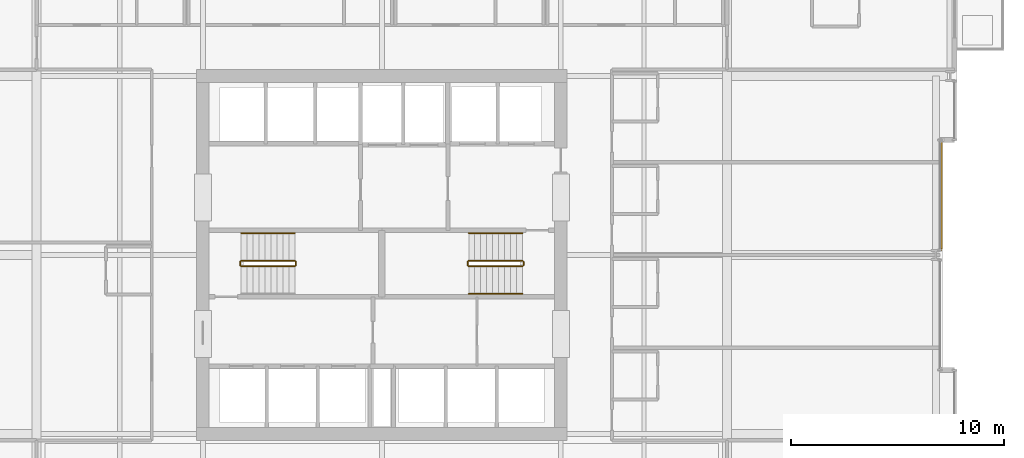
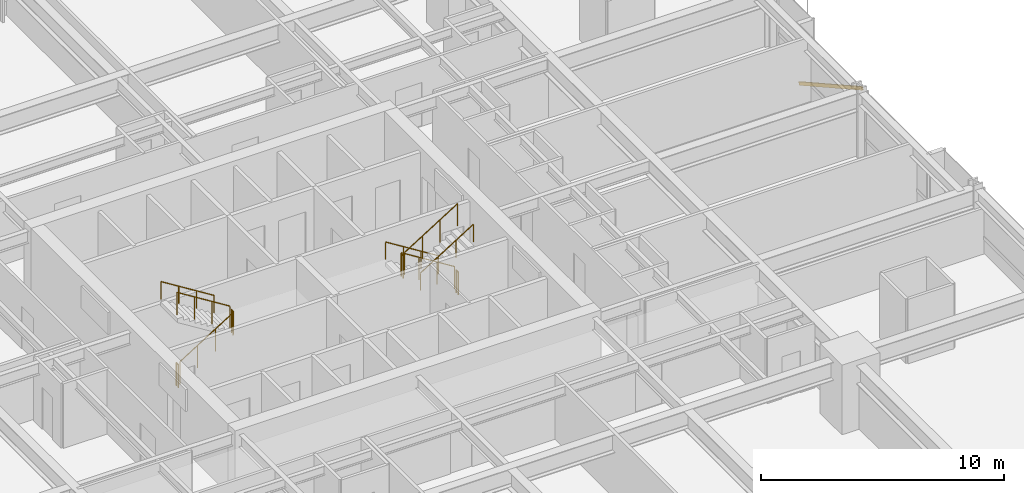
# One storey, part 36 of 37: 11 railings, 1 shading device.
"""IFC4 building model written with IfcOpenShell, lengths in metres."""

from ifc_helpers import new_model, si_unit, direction, frame, origin, origin_2d, place, context, subcontext, project, spatial, hollow_rectangle, circle, extrude, material, material_profile, profile_set, type_object, element, save


model = new_model("IFC4")

# Units and contexts
model_context = context("Model", 3, precision=1e-05, world=origin(), true_north=direction((0.0, 1.0)))
body_context = subcontext(model_context, "Body", "Model", "MODEL_VIEW")
ifc_project = project(units=[si_unit("LENGTHUNIT", "METRE"), si_unit("AREAUNIT", "SQUARE_METRE"), si_unit("VOLUMEUNIT", "CUBIC_METRE"), si_unit("PLANEANGLEUNIT", "RADIAN"), si_unit("MASSUNIT", "GRAM", prefix="KILO")], contexts=[model_context])

# Site, building, storey
site_placement = place(None, origin())
site = spatial("IfcSite", under=ifc_project, at=site_placement, CompositionType="ELEMENT")
building_placement = place(site_placement, origin())
building = spatial("IfcBuilding", under=site, at=building_placement, Name="Drelvath Grand Hotel", CompositionType="ELEMENT")
storey_placement = place(building_placement, frame((0.0, 0.0, 43.699951171875)))
storey = spatial("IfcBuildingStorey", under=building, at=storey_placement, Name="L09", CompositionType="ELEMENT", Elevation=43.699951171875)

# Railings
ifc_material_1 = material(Name="Painted Steel S275", Category="steel")
railing_type_1 = type_object("IfcRailingType", Name="Core Stair Wall Handrail 900", PredefinedType="HANDRAIL", material=ifc_material_1)
for number, where, name in (
    (1, (-4.080078125, 28.030029296875, 1.925048828125), "L09 ST-1 stair handrail 2"),
    (2, (6.60009765625, 28.030029296875, 0.175048828125), "L09 ST-2 stair handrail 1"),
):
    element("IfcRailing", number, at=place(storey_placement, frame(where)), inside=storey, type_object=railing_type_1, Name=name, PredefinedType="HANDRAIL", context=body_context, shape_type="SweptSolid", body=[
        extrude(circle(Radius=0.02392578125, at=origin_2d()), frame((0.0, 0.0, 0.8759765625), z_axis=(-0.848007534815, 0.0, 0.529984170421), x_axis=(0.0, -1.0, 0.0)), (0.0, 0.0, 1.0), 2.9716796875),
        extrude(circle(Radius=0.02099609375, at=origin_2d()), origin(), (0.0, 0.0, 1.0), 0.851806640625),
        extrude(circle(Radius=0.02099609375, at=origin_2d()), frame((-0.840087890625, 0.0, 0.52490234375)), (0.0, 0.0, 1.0), 0.851806640625),
        extrude(circle(Radius=0.02099609375, at=origin_2d()), frame((-1.679931640625, 0.0, 1.050048828125)), (0.0, 0.0, 1.0), 0.851806640625),
        extrude(circle(Radius=0.02099609375, at=origin_2d()), frame((-2.52001953125, 0.0, 1.574951171875)), (0.0, 0.0, 1.0), 0.851806640625),
    ])
railing_1_placement = place(storey_placement, frame((4.080078125, 25.169921875, 1.925048828125)))
element("IfcRailing", 3, at=railing_1_placement, inside=storey, type_object=railing_type_1, Name="L09 ST-2 stair handrail 2", PredefinedType="HANDRAIL", context=body_context, shape_type="SweptSolid", body=[
    extrude(circle(Radius=0.02392578125, at=origin_2d()), frame((0.0, 0.0, 0.8759765625), z_axis=(0.848007534815, 0.0, 0.529984170421), x_axis=(0.0, 1.0, 0.0)), (0.0, 0.0, 1.0), 2.9716796875),
    extrude(circle(Radius=0.02099609375, at=origin_2d()), origin(), (0.0, 0.0, 1.0), 0.851806640625),
    extrude(circle(Radius=0.02099609375, at=origin_2d()), frame((0.840087890625, 0.0, 0.52490234375)), (0.0, 0.0, 1.0), 0.851806640625),
    extrude(circle(Radius=0.02099609375, at=origin_2d()), frame((1.679931640625, 0.0, 1.050048828125)), (0.0, 0.0, 1.0), 0.851806640625),
    extrude(circle(Radius=0.02099609375, at=origin_2d()), frame((2.52001953125, 0.0, 1.574951171875)), (0.0, 0.0, 1.0), 0.851806640625),
])
railing_type_2 = type_object("IfcRailingType", Name="Core Stair Well Guardrail 1100", PredefinedType="GUARDRAIL", material=ifc_material_1)
railing_2_placement = place(storey_placement, frame((-6.60009765625, 26.469970703125, 0.175048828125)))
element("IfcRailing", 4, at=railing_2_placement, inside=storey, type_object=railing_type_2, Name="L09 ST-1 stair guard 1", PredefinedType="GUARDRAIL", context=body_context, shape_type="SweptSolid", body=[
    extrude(circle(Radius=0.02392578125, at=origin_2d()), frame((0.0, 0.0, 1.1259765625), z_axis=(0.848007534815, 0.0, 0.529984170421), x_axis=(0.0, 1.0, 0.0)), (0.0, 0.0, 1.0), 2.9716796875),
    extrude(circle(Radius=0.02099609375, at=origin_2d()), origin(), (0.0, 0.0, 1.0), 1.101806640625),
    extrude(circle(Radius=0.02099609375, at=origin_2d()), frame((0.840087890625, 0.0, 0.52490234375)), (0.0, 0.0, 1.0), 1.101806640625),
    extrude(circle(Radius=0.02099609375, at=origin_2d()), frame((1.679931640625, 0.0, 1.050048828125)), (0.0, 0.0, 1.0), 1.101806640625),
    extrude(circle(Radius=0.02099609375, at=origin_2d()), frame((2.52001953125, 0.0, 1.574951171875)), (0.0, 0.0, 1.0), 1.101806640625),
])
railing_3_placement = place(storey_placement, frame((-4.030029296875, 26.52001953125, 1.75)))
element("IfcRailing", 5, at=railing_3_placement, inside=storey, type_object=railing_type_2, Name="L09 ST-1 stair guard 2", PredefinedType="GUARDRAIL", context=body_context, shape_type="SweptSolid", body=[
    extrude(circle(Radius=0.02392578125, at=origin_2d()), frame((0.0, 0.0, 1.1259765625), z_axis=(0.0, 1.0, 0.0), x_axis=(-1.0, 0.0, 0.0)), (0.0, 0.0, 1.0), 0.159912109375),
    extrude(circle(Radius=0.02099609375, at=origin_2d()), origin(), (0.0, 0.0, 1.0), 1.101806640625),
    extrude(circle(Radius=0.02099609375, at=origin_2d()), frame((0.0, 0.159912109375, 0.0)), (0.0, 0.0, 1.0), 1.101806640625),
])
railing_4_placement = place(storey_placement, frame((-4.080078125, 26.72998046875, 1.925048828125)))
element("IfcRailing", 6, at=railing_4_placement, inside=storey, type_object=railing_type_2, Name="L09 ST-1 stair guard 3", PredefinedType="GUARDRAIL", context=body_context, shape_type="SweptSolid", body=[
    extrude(circle(Radius=0.02392578125, at=origin_2d()), frame((0.0, 0.0, 1.1259765625), z_axis=(-0.848007534815, 0.0, 0.529984170421), x_axis=(0.0, -1.0, 0.0)), (0.0, 0.0, 1.0), 2.9716796875),
    extrude(circle(Radius=0.02099609375, at=origin_2d()), origin(), (0.0, 0.0, 1.0), 1.101806640625),
    extrude(circle(Radius=0.02099609375, at=origin_2d()), frame((-0.840087890625, 0.0, 0.52490234375)), (0.0, 0.0, 1.0), 1.101806640625),
    extrude(circle(Radius=0.02099609375, at=origin_2d()), frame((-1.679931640625, 0.0, 1.050048828125)), (0.0, 0.0, 1.0), 1.101806640625),
    extrude(circle(Radius=0.02099609375, at=origin_2d()), frame((-2.52001953125, 0.0, 1.574951171875)), (0.0, 0.0, 1.0), 1.101806640625),
])
railing_5_placement = place(storey_placement, frame((-6.64990234375, 26.52001953125, 0.0)))
element("IfcRailing", 7, at=railing_5_placement, inside=storey, type_object=railing_type_2, Name="L09 ST-1 stair guard 4", PredefinedType="GUARDRAIL", context=body_context, shape_type="SweptSolid", body=[
    extrude(circle(Radius=0.02392578125, at=origin_2d()), frame((0.0, 0.0, 1.1259765625), z_axis=(0.0, 1.0, 0.0), x_axis=(-1.0, 0.0, 0.0)), (0.0, 0.0, 1.0), 0.159912109375),
    extrude(circle(Radius=0.02099609375, at=origin_2d()), origin(), (0.0, 0.0, 1.0), 1.101806640625),
    extrude(circle(Radius=0.02099609375, at=origin_2d()), frame((0.0, 0.159912109375, 0.0)), (0.0, 0.0, 1.0), 1.101806640625),
])
railing_6_placement = place(storey_placement, frame((6.60009765625, 26.72998046875, 0.175048828125)))
element("IfcRailing", 8, at=railing_6_placement, inside=storey, type_object=railing_type_2, Name="L09 ST-2 stair guard 1", PredefinedType="GUARDRAIL", context=body_context, shape_type="SweptSolid", body=[
    extrude(circle(Radius=0.02392578125, at=origin_2d()), frame((0.0, 0.0, 1.1259765625), z_axis=(-0.848007534815, 0.0, 0.529984170421), x_axis=(0.0, -1.0, 0.0)), (0.0, 0.0, 1.0), 2.9716796875),
    extrude(circle(Radius=0.02099609375, at=origin_2d()), origin(), (0.0, 0.0, 1.0), 1.101806640625),
    extrude(circle(Radius=0.02099609375, at=origin_2d()), frame((-0.840087890625, 0.0, 0.52490234375)), (0.0, 0.0, 1.0), 1.101806640625),
    extrude(circle(Radius=0.02099609375, at=origin_2d()), frame((-1.679931640625, 0.0, 1.050048828125)), (0.0, 0.0, 1.0), 1.101806640625),
    extrude(circle(Radius=0.02099609375, at=origin_2d()), frame((-2.52001953125, 0.0, 1.574951171875)), (0.0, 0.0, 1.0), 1.101806640625),
])
railing_7_placement = place(storey_placement, frame((4.030029296875, 26.679931640625, 1.75)))
element("IfcRailing", 9, at=railing_7_placement, inside=storey, type_object=railing_type_2, Name="L09 ST-2 stair guard 2", PredefinedType="GUARDRAIL", context=body_context, shape_type="SweptSolid", body=[
    extrude(circle(Radius=0.02392578125, at=origin_2d()), frame((0.0, 0.0, 1.1259765625), z_axis=(0.0, -1.0, 0.0), x_axis=(1.0, 0.0, 0.0)), (0.0, 0.0, 1.0), 0.159912109375),
    extrude(circle(Radius=0.02099609375, at=origin_2d()), origin(), (0.0, 0.0, 1.0), 1.101806640625),
    extrude(circle(Radius=0.02099609375, at=origin_2d()), frame((0.0, -0.159912109375, 0.0)), (0.0, 0.0, 1.0), 1.101806640625),
])
railing_8_placement = place(storey_placement, frame((4.080078125, 26.469970703125, 1.925048828125)))
element("IfcRailing", 10, at=railing_8_placement, inside=storey, type_object=railing_type_2, Name="L09 ST-2 stair guard 3", PredefinedType="GUARDRAIL", context=body_context, shape_type="SweptSolid", body=[
    extrude(circle(Radius=0.02392578125, at=origin_2d()), frame((0.0, 0.0, 1.1259765625), z_axis=(0.848007534815, 0.0, 0.529984170421), x_axis=(0.0, 1.0, 0.0)), (0.0, 0.0, 1.0), 2.9716796875),
    extrude(circle(Radius=0.02099609375, at=origin_2d()), origin(), (0.0, 0.0, 1.0), 1.101806640625),
    extrude(circle(Radius=0.02099609375, at=origin_2d()), frame((0.840087890625, 0.0, 0.52490234375)), (0.0, 0.0, 1.0), 1.101806640625),
    extrude(circle(Radius=0.02099609375, at=origin_2d()), frame((1.679931640625, 0.0, 1.050048828125)), (0.0, 0.0, 1.0), 1.101806640625),
    extrude(circle(Radius=0.02099609375, at=origin_2d()), frame((2.52001953125, 0.0, 1.574951171875)), (0.0, 0.0, 1.0), 1.101806640625),
])
railing_9_placement = place(storey_placement, frame((6.64990234375, 26.679931640625, 0.0)))
element("IfcRailing", 11, at=railing_9_placement, inside=storey, type_object=railing_type_2, Name="L09 ST-2 stair guard 4", PredefinedType="GUARDRAIL", context=body_context, shape_type="SweptSolid", body=[
    extrude(circle(Radius=0.02392578125, at=origin_2d()), frame((0.0, 0.0, 1.1259765625), z_axis=(0.0, -1.0, 0.0), x_axis=(1.0, 0.0, 0.0)), (0.0, 0.0, 1.0), 0.159912109375),
    extrude(circle(Radius=0.02099609375, at=origin_2d()), origin(), (0.0, 0.0, 1.0), 1.101806640625),
    extrude(circle(Radius=0.02099609375, at=origin_2d()), frame((0.0, -0.159912109375, 0.0)), (0.0, 0.0, 1.0), 1.101806640625),
])

# Shading device
ifc_material_2 = material(Name="Warm Bronze Anodised Aluminium", Category="aluminium")
ifc_material_profile = material_profile(ifc_material_2, hollow_rectangle(XDim=0.06494140625, YDim=0.159912109375, WallThickness=0.00390625, at=origin_2d()), Name="HSS160X65X4")
ifc_profile_set = profile_set([ifc_material_profile], Name="Warm Bronze Anodised Aluminium")
shading_device_type = type_object("IfcShadingDeviceType", Name="Diagonal Solar Fin Warm Bronze Anodised HSS160X65X4", PredefinedType="USERDEFINED", material=ifc_profile_set)
shading_device_placement = place(storey_placement, frame((26.280029296875, 32.39990234375, 0.179931640625), z_axis=(0.0, -0.873145760887, 0.487459208801), x_axis=(1.0, 0.0, 0.0)))
element("IfcShadingDevice", 12, at=shading_device_placement, inside=storey, type_object=shading_device_type, Name="L09 Diagonal Anodised Fin CW02-L09-EM2", ObjectType="FIN", PredefinedType="USERDEFINED", context=body_context, shape_type="SweptSolid", body=[
    extrude(hollow_rectangle(XDim=0.06494140625, YDim=0.159912109375, WallThickness=0.00390625, at=origin_2d()), origin(), (0.0, 0.0, 1.0), 5.908447265625),
])

save(model, "model.ifc")
